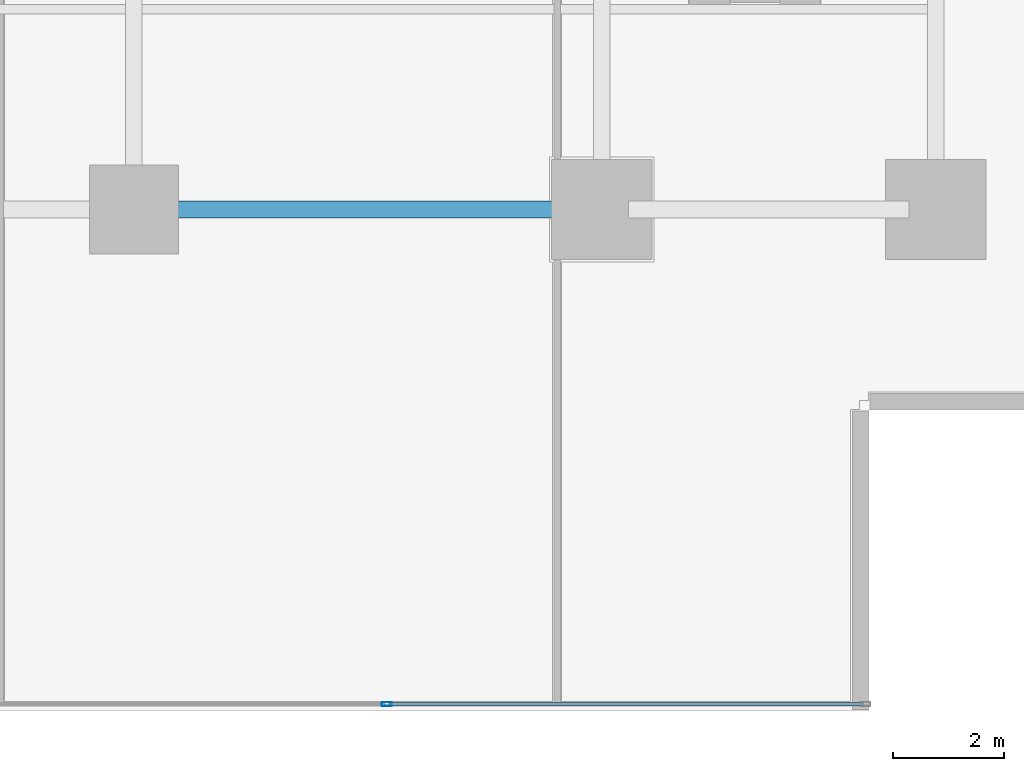
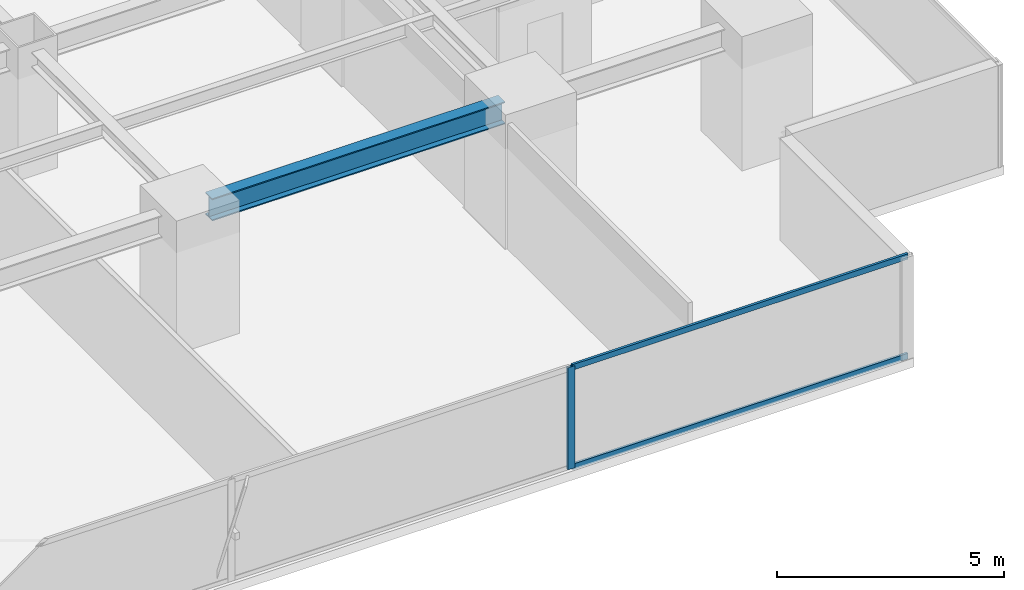
# One storey, part 11 of 33: 3 members, 1 beam, 1 element without a shape of its own.
"""IFC4 building model written with IfcOpenShell, lengths in metres."""

from ifc_helpers import new_model, si_unit, direction, frame, origin, origin_2d, place, context, subcontext, project, spatial, hollow_rectangle, i_section, extrude, source, transform, mapped, material, layer, layer_set, material_profile, profile_set, type_object, element, aggregate, save


model = new_model("IFC4")

# Units and contexts
model_context = context("Model", 3, precision=1e-05, world=origin(), true_north=direction((0.0, 1.0)))
body_context = subcontext(model_context, "Body", "Model", "MODEL_VIEW")
ifc_project = project(units=[si_unit("LENGTHUNIT", "METRE"), si_unit("AREAUNIT", "SQUARE_METRE"), si_unit("VOLUMEUNIT", "CUBIC_METRE"), si_unit("PLANEANGLEUNIT", "RADIAN"), si_unit("MASSUNIT", "GRAM", prefix="KILO")], contexts=[model_context])

# Site, building, storey
site_placement = place(None, origin())
site = spatial("IfcSite", under=ifc_project, at=site_placement, CompositionType="ELEMENT")
building_placement = place(site_placement, origin())
building = spatial("IfcBuilding", under=site, at=building_placement, Name="Sumidabori Civic Tower", CompositionType="ELEMENT")
storey_placement = place(building_placement, frame((0.0, 0.0, 30.800048828125)))
storey = spatial("IfcBuildingStorey", under=building, at=storey_placement, Name="L07", CompositionType="ELEMENT", Elevation=30.800048828125)

# Beam
ifc_material_1 = material(Name="Steel SN490", Category="steel")
ifc_material_profile_1 = material_profile(ifc_material_1, i_section(OverallWidth=0.300048828125, OverallDepth=0.60009765625, WebThickness=0.015380859375, FlangeThickness=0.030029296875, at=origin_2d()), Name="HE 600 B")
ifc_profile_set_1 = profile_set([ifc_material_profile_1], Name="Steel SN490")
beam_type = type_object("IfcBeamType", Name="BM-GIRD-600", PredefinedType="BEAM", material=ifc_profile_set_1)
shared_shape_1 = source(origin(), body_context, "Body", "SweptSolid", [
    extrude(i_section(OverallWidth=0.300048828125, OverallDepth=0.60009765625, WebThickness=0.015380859375, FlangeThickness=0.030029296875, at=origin_2d()), origin(), (0.0, 0.0, 1.0), 7.440185546875),
])
beam_placement = place(storey_placement, frame((8.8798828125, -18.0, 3.06005859375), z_axis=(1.0, 0.0, 0.0), x_axis=(0.0, 1.0, 0.0)))
element("IfcBeam", 1, at=beam_placement, inside=storey, type_object=beam_type, Name="Primary Girder L07 GX-05", PredefinedType="BEAM", context=body_context, shape_type="MappedRepresentation", body=[
    mapped(shared_shape_1, transform((0.0, 0.0, 0.0), x_axis=(1.0, 0.0, 0.0), y_axis=(0.0, 1.0, 0.0), z_axis=(0.0, 0.0, 1.0), scale=1.0)),
])

# Curtain wall, members
ifc_material_2 = material(Name="Anodised Bronze Aluminium AW-6063-T6", Category="aluminium")
ifc_layer = layer(ifc_material_2, 0.179931640625, Name="Anodised Bronze Aluminium AW-6063-T6")
ifc_layer_set = layer_set([ifc_layer], Name="Anodised Bronze Aluminium AW-6063-T6")
curtain_wall_type = type_object("IfcCurtainWallType", Name="CW-SYS-2", PredefinedType="NOTDEFINED", material=ifc_layer_set)
curtain_wall_placement = place(storey_placement, origin())
curtain_wall = element("IfcCurtainWall", 2, at=curtain_wall_placement, inside=storey, type_object=curtain_wall_type, Name="Curtain Wall CW:L07:R01", PredefinedType="NOTDEFINED")
ifc_material_profile_2 = material_profile(ifc_material_2, hollow_rectangle(XDim=0.070068359375, YDim=0.179931640625, WallThickness=0.006103515625, at=origin_2d()), Name="ALU MULLION 180x70")
ifc_profile_set_2 = profile_set([ifc_material_profile_2], Name="Anodised Bronze Aluminium AW-6063-T6")
member_type_1 = type_object("IfcMemberType", Name="CW-MUL-180", PredefinedType="MULLION", material=ifc_profile_set_2)
shared_shape_2 = source(origin(), body_context, "Body", "SweptSolid", [
    extrude(hollow_rectangle(XDim=0.070068359375, YDim=0.179931640625, WallThickness=0.006103515625, at=origin_2d()), origin(), (0.0, 0.0, 1.0), 2.739990234375),
])
member_1_placement = place(storey_placement, frame((12.94189453125, -26.8798828125, 0.0), z_axis=(0.0, 0.0, 1.0), x_axis=(0.0, 1.0, 0.0)))
member_1 = element("IfcMember", 3, at=member_1_placement, type_object=member_type_1, Name="CW-2 mullion 5", PredefinedType="MULLION", context=body_context, shape_type="MappedRepresentation", body=[
    mapped(shared_shape_2, transform((0.0, 0.0, 0.0), x_axis=(1.0, 0.0, 0.0), y_axis=(0.0, 1.0, 0.0), z_axis=(0.0, 0.0, 1.0), scale=1.0)),
])
ifc_material_profile_3 = material_profile(ifc_material_2, hollow_rectangle(XDim=0.06494140625, YDim=0.14990234375, WallThickness=0.0048828125, at=origin_2d()), Name="ALU TRANSOM 150x65")
ifc_profile_set_3 = profile_set([ifc_material_profile_3], Name="Anodised Bronze Aluminium AW-6063-T6")
member_type_2 = type_object("IfcMemberType", Name="CW-TRN-150", PredefinedType="USERDEFINED", material=ifc_profile_set_3)
shared_shape_3 = source(origin(), body_context, "Body", "SweptSolid", [
    extrude(hollow_rectangle(XDim=0.06494140625, YDim=0.14990234375, WallThickness=0.0048828125, at=origin_2d()), origin(), (0.0, 0.0, 1.0), 8.52294921875),
])
member_2_placement = place(storey_placement, frame((12.97705078125, -26.8798828125, 0.032470703125), z_axis=(1.0, 0.0, 0.0), x_axis=(0.0, 1.0, 0.0)))
member_2 = element("IfcMember", 4, at=member_2_placement, type_object=member_type_2, Name="CW-2 transom 5.1", ObjectType="TRANSOM", PredefinedType="USERDEFINED", context=body_context, shape_type="MappedRepresentation", body=[
    mapped(shared_shape_3, transform((0.0, 0.0, 0.0), x_axis=(1.0, 0.0, 0.0), y_axis=(0.0, 1.0, 0.0), z_axis=(0.0, 0.0, 1.0), scale=1.0)),
])
member_3_placement = place(storey_placement, frame((12.97705078125, -26.8798828125, 2.70751953125), z_axis=(1.0, 0.0, 0.0), x_axis=(0.0, 1.0, 0.0)))
member_3 = element("IfcMember", 5, at=member_3_placement, type_object=member_type_2, Name="CW-2 transom 5.2", ObjectType="TRANSOM", PredefinedType="USERDEFINED", context=body_context, shape_type="MappedRepresentation", body=[
    mapped(shared_shape_3, transform((0.0, 0.0, 0.0), x_axis=(1.0, 0.0, 0.0), y_axis=(0.0, 1.0, 0.0), z_axis=(0.0, 0.0, 1.0), scale=1.0)),
])
aggregate(curtain_wall, [member_1, member_2, member_3])

save(model, "model.ifc")
